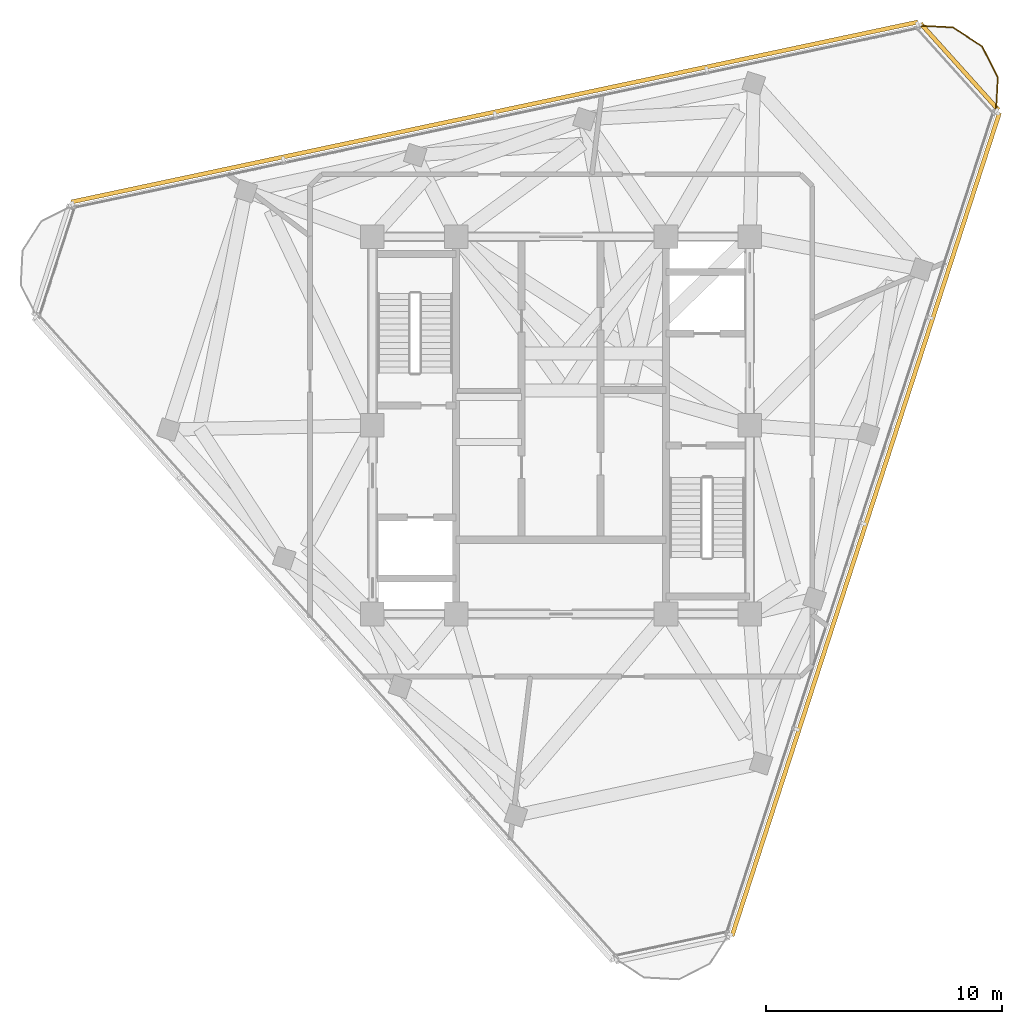
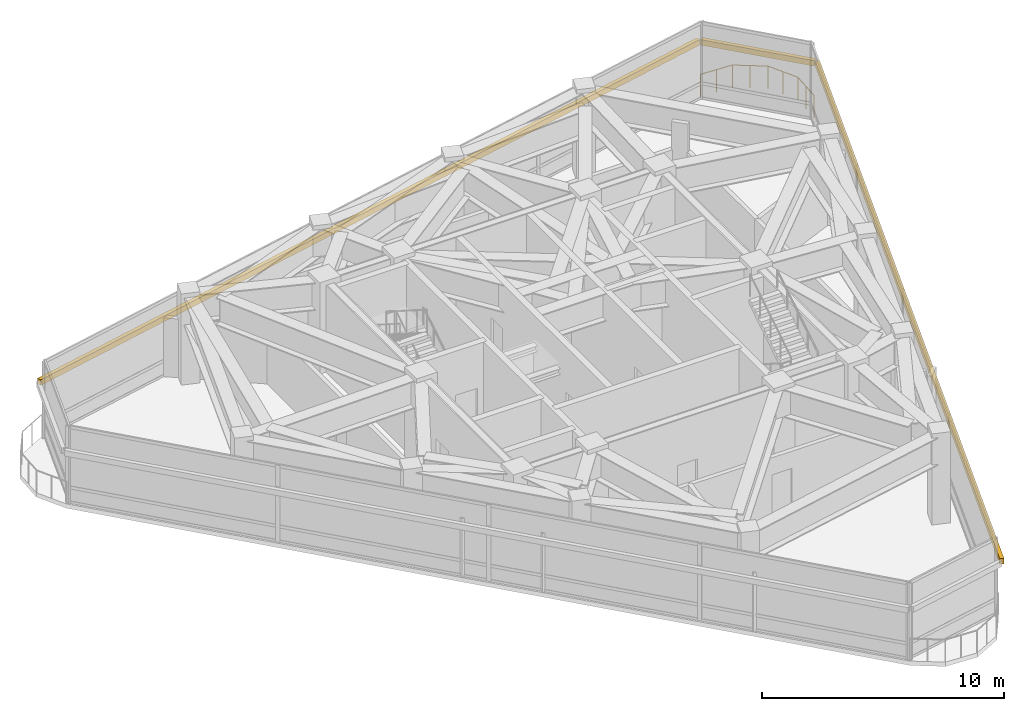
# One storey, part 10 of 10: 3 shading devices, 1 railing.
"""IFC4 building model written with IfcOpenShell, lengths in metres."""

from ifc_helpers import new_model, si_unit, direction, frame, origin, origin_2d, place, context, subcontext, project, spatial, rectangle, circle, extrude, material, layer, layer_set, type_object, element, save


model = new_model("IFC4")

# Units and contexts
model_context = context("Model", 3, precision=1e-05, world=origin(), true_north=direction((0.0, 1.0)))
body_context = subcontext(model_context, "Body", "Model", "MODEL_VIEW")
ifc_project = project(units=[si_unit("LENGTHUNIT", "METRE"), si_unit("AREAUNIT", "SQUARE_METRE"), si_unit("VOLUMEUNIT", "CUBIC_METRE"), si_unit("PLANEANGLEUNIT", "RADIAN"), si_unit("MASSUNIT", "GRAM", prefix="KILO")], contexts=[model_context])

# Site, building, storey
site_placement = place(None, origin())
site = spatial("IfcSite", under=ifc_project, at=site_placement, CompositionType="ELEMENT")
building_placement = place(site_placement, origin())
building = spatial("IfcBuilding", under=site, at=building_placement, Name="Terralouvre Media Tower", CompositionType="ELEMENT")
storey_placement = place(building_placement, frame((0.0, 0.0, 317.39990234375)))
storey = spatial("IfcBuildingStorey", under=building, at=storey_placement, Name="L82", CompositionType="ELEMENT", Elevation=317.39990234375)

# Railing
ifc_material_1 = material(Name="Stainless steel 316 handrail and balustrade", Category="steel")
ifc_layer = layer(ifc_material_1, 0.06005859375, Name="Roof Edge Safety Guardrail GR-ROOF1")
ifc_layer_set = layer_set([ifc_layer], Name="Stainless steel 316 handrail and balustrade")
railing_type = type_object("IfcRailingType", Name="Roof Edge Safety Guardrail GR-ROOF1", PredefinedType="GUARDRAIL", material=ifc_layer_set)
railing_placement = place(storey_placement, frame((18.444580078125, 13.28857421875, 0.0)))
element("IfcRailing", 1, at=railing_placement, inside=storey, type_object=railing_type, Name="L82 Wind-Corner Perimeter Safety Guardrail C1", PredefinedType="GUARDRAIL", context=body_context, shape_type="SweptSolid", body=[
    extrude(circle(Radius=0.02099609375, at=origin_2d()), frame((0.0, 0.0, 1.12890625), z_axis=(0.05264572517, 0.998613252276, 0.0), x_axis=(-0.998613252276, 0.05264572517, 0.0)), (0.0, 0.0, 1.0), 1.474609375),
    extrude(circle(Radius=0.02099609375, at=origin_2d()), frame((0.07763671875, 1.47265625, 1.12890625), z_axis=(-0.453891052363, 0.891057188167, 0.0), x_axis=(-0.891057188167, -0.453891052363, 0.0)), (0.0, 0.0, 1.0), 1.474365234375),
    extrude(circle(Radius=0.02099609375, at=origin_2d()), frame((-0.591552734375, 2.786376953125, 1.12890625), z_axis=(-0.838689435275, 0.544609980774, 0.0), x_axis=(-0.544609980774, -0.838689435275, 0.0)), (0.0, 0.0, 1.0), 1.474365234375),
    extrude(circle(Radius=0.02099609375, at=origin_2d()), frame((-1.828125, 3.58935546875, 1.12890625), z_axis=(-0.998647849317, 0.051985315764, 0.0), x_axis=(-0.051985315764, -0.998647849317, 0.0)), (0.0, 0.0, 1.0), 1.474609375),
    extrude(circle(Radius=0.01904296875, at=origin_2d()), origin(), (0.0, 0.0, 1.0), 1.10791015625),
    extrude(circle(Radius=0.01904296875, at=origin_2d()), frame((0.038818359375, 0.736328125, 0.0)), (0.0, 0.0, 1.0), 1.10791015625),
    extrude(circle(Radius=0.01904296875, at=origin_2d()), frame((0.07763671875, 1.47265625, 0.0)), (0.0, 0.0, 1.0), 1.10791015625),
    extrude(circle(Radius=0.01904296875, at=origin_2d()), frame((-0.2568359375, 2.12939453125, 0.0)), (0.0, 0.0, 1.0), 1.10791015625),
    extrude(circle(Radius=0.01904296875, at=origin_2d()), frame((-0.591552734375, 2.786376953125, 0.0)), (0.0, 0.0, 1.0), 1.10791015625),
    extrude(circle(Radius=0.01904296875, at=origin_2d()), frame((-1.2099609375, 3.18798828125, 0.0)), (0.0, 0.0, 1.0), 1.10791015625),
    extrude(circle(Radius=0.01904296875, at=origin_2d()), frame((-1.828125, 3.58935546875, 0.0)), (0.0, 0.0, 1.0), 1.10791015625),
    extrude(circle(Radius=0.01904296875, at=origin_2d()), frame((-2.564453125, 3.627685546875, 0.0)), (0.0, 0.0, 1.0), 1.10791015625),
    extrude(circle(Radius=0.01904296875, at=origin_2d()), frame((-3.30078125, 3.666015625, 0.0)), (0.0, 0.0, 1.0), 1.10791015625),
])

# Shading devices
ifc_material_2 = material(Name="Extruded terracotta baguette sunshade louvres", Category="masonry")
shading_device_type = type_object("IfcShadingDeviceType", Name="Terracotta Baguette Sunshade Louvre Screen TB-LV1", PredefinedType="USERDEFINED", material=ifc_material_2)
for number, where, z_axis, x_axis, name in (
    (2, (12.91943359375, -4.19775390625, 2.56982421875), (0.0, 0.0, 1.0), (0.309017102933, 0.951056481023, 0.0), "CW-L82-F0 Terracotta Baguette Sunshade Louvre"),
    (3, (-2.824462890625, 13.28759765625, 2.56982421875), (0.0, 0.0, 1.0), (-0.978147587304, -0.207911754001, 0.0), "CW-L82-F1 Terracotta Baguette Sunshade Louvre"),
):
    element("IfcShadingDevice", number, at=place(storey_placement, frame(where, z_axis=z_axis, x_axis=x_axis)), inside=storey, type_object=shading_device_type, Name=name, ObjectType="BAGUETTE", PredefinedType="USERDEFINED", context=body_context, shape_type="SweptSolid", body=[
        extrude(rectangle(XDim=36.699951171875, YDim=0.179931640625, at=origin_2d()), origin(), (0.0, 0.0, 1.0), 0.280029296875),
    ])
shading_device_placement = place(storey_placement, frame((16.89453125, 15.2119140625, 2.56982421875), z_axis=(0.0, 0.0, 1.0), x_axis=(-0.669130583518, 0.743144846043, 0.0)))
element("IfcShadingDevice", 4, at=shading_device_placement, inside=storey, type_object=shading_device_type, Name="CW-L82-C1 Terracotta Baguette Sunshade Louvre", ObjectType="BAGUETTE", PredefinedType="USERDEFINED", context=body_context, shape_type="SweptSolid", body=[
    extrude(rectangle(XDim=4.936279296875, YDim=0.179931640625, at=origin_2d()), origin(), (0.0, 0.0, 1.0), 0.280029296875),
])

save(model, "model.ifc")
